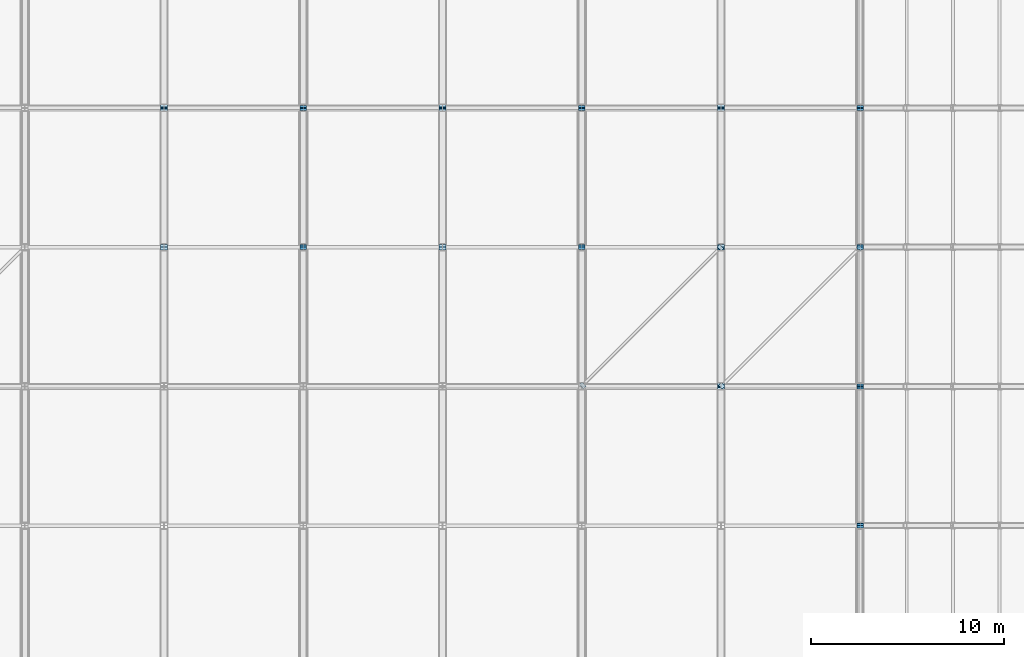
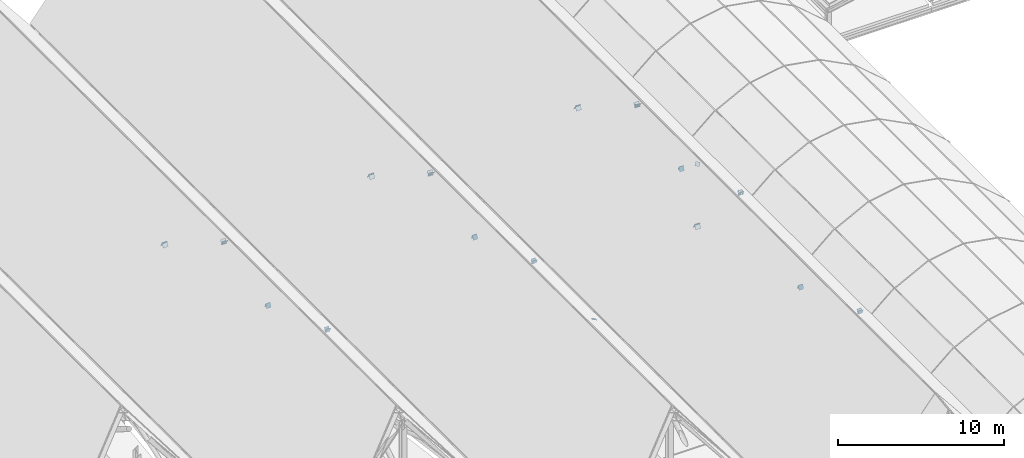
# One storey, part 50 of 60: 34 plates.
"""IFC4 building model written with IfcOpenShell, lengths in metres."""

from ifc_helpers import new_model, si_unit, direction, frame, origin, origin_2d, place, context, subcontext, project, spatial, rectangle, extrude, material, layer, layer_set, type_object, element, save


model = new_model("IFC4")

# Units and contexts
model_context = context("Model", 3, precision=1e-05, world=origin(), true_north=direction((0.0, 1.0)))
body_context = subcontext(model_context, "Body", "Model", "MODEL_VIEW")
ifc_project = project(units=[si_unit("LENGTHUNIT", "METRE"), si_unit("AREAUNIT", "SQUARE_METRE"), si_unit("VOLUMEUNIT", "CUBIC_METRE"), si_unit("PLANEANGLEUNIT", "RADIAN"), si_unit("MASSUNIT", "GRAM", prefix="KILO")], contexts=[model_context])

# Site, building, storey
site_placement = place(None, origin())
site = spatial("IfcSite", under=ifc_project, at=site_placement, CompositionType="ELEMENT")
building_placement = place(site_placement, origin())
building = spatial("IfcBuilding", under=site, at=building_placement, Name="Vesperath Aquatics Centre", CompositionType="ELEMENT")
storey_placement = place(building_placement, frame((0.0, 0.0, 27.60009765625)))
storey = spatial("IfcBuildingStorey", under=building, at=storey_placement, Name="RF", CompositionType="ELEMENT", Elevation=27.60009765625)

# Plates
ifc_material = material(Name="Steel Q355D", Category="steel")
ifc_layer_1 = layer(ifc_material, 0.02001953125)
ifc_layer_set_1 = layer_set([ifc_layer_1], Name="Steel Q355D")
plate_type_1 = type_object("IfcPlateType", Name="PT-TN01", PredefinedType="SHEET", material=ifc_layer_set_1)
for number, where, z_axis, x_axis, name in (
    (1, (64.800048828125, 50.33251953125, -0.84326171875), (0.0, 0.842696259913, 0.538389276944), (-1.0, 0.0, 0.0), "Truss Node Cap Plate TN01"),
    (2, (64.800048828125, 50.450439453125, -0.83251953125), (0.0, 0.842696259913, -0.538389276944), (-1.0, 0.0, 0.0), "Truss Node Cap Plate TN01"),
    (3, (64.800048828125, 57.532470703125, -5.35693359375), (0.0, 0.842696259913, -0.538389276944), (-1.0, 0.0, 0.0), "Truss Node Cap Plate TN01"),
    (4, (64.800048828125, 57.650390625, -5.36767578125), (0.0, 0.842696259913, 0.538389276944), (-1.0, 0.0, 0.0), "Truss Node Cap Plate TN01"),
    (5, (79.199951171875, 50.33251953125, -0.84326171875), (0.0, 0.842696259913, 0.538389276944), (-1.0, 0.0, 0.0), "Truss Node Cap Plate TN01"),
    (6, (79.199951171875, 50.450439453125, -0.83251953125), (0.0, 0.842696259913, -0.538389276944), (-1.0, 0.0, 0.0), "Truss Node Cap Plate TN01"),
    (7, (79.199951171875, 57.532470703125, -5.35693359375), (0.0, 0.842696259913, -0.538389276944), (-1.0, 0.0, 0.0), "Truss Node Cap Plate TN01"),
    (8, (79.199951171875, 57.650390625, -5.36767578125), (0.0, 0.842696259913, 0.538389276944), (-1.0, 0.0, 0.0), "Truss Node Cap Plate TN01"),
    (9, (93.60009765625, 43.132568359375, -5.35693359375), (0.0, 0.842696259913, -0.538389276944), (-1.0, 0.0, 0.0), "Truss Node Cap Plate TN01"),
    (10, (93.60009765625, 43.25048828125, -5.36767578125), (0.0, 0.842696259913, 0.538389276944), (-1.0, 0.0, 0.0), "Truss Node Cap Plate TN01"),
    (11, (93.60009765625, 50.33251953125, -0.84326171875), (0.0, 0.842696259913, 0.538389276944), (-1.0, 0.0, 0.0), "Truss Node Cap Plate TN01"),
    (12, (93.60009765625, 50.450439453125, -0.83251953125), (0.0, 0.842696259913, -0.538389276944), (-1.0, 0.0, 0.0), "Truss Node Cap Plate TN01"),
    (13, (93.60009765625, 57.532470703125, -5.35693359375), (0.0, 0.842696259913, -0.538389276944), (-1.0, 0.0, 0.0), "Truss Node Cap Plate TN01"),
    (14, (93.60009765625, 57.650390625, -5.36767578125), (0.0, 0.842696259913, 0.538389276944), (-1.0, 0.0, 0.0), "Truss Node Cap Plate TN01"),
):
    element("IfcPlate", number, at=place(storey_placement, frame(where, z_axis=z_axis, x_axis=x_axis)), inside=storey, type_object=plate_type_1, Name=name, PredefinedType="SHEET", context=body_context, shape_type="SweptSolid", body=[
        extrude(rectangle(XDim=0.360107421875, YDim=0.360107421875, at=origin_2d()), origin(), (0.0, 0.0, 1.0), 0.02001953125),
    ])
ifc_layer_2 = layer(ifc_material, 0.02001953125)
ifc_layer_set_2 = layer_set([ifc_layer_2], Name="Steel Q355D")
plate_type_2 = type_object("IfcPlateType", Name="PT-TN02", PredefinedType="SHEET", material=ifc_layer_set_2)
for number, where, z_axis, x_axis, name in (
    (15, (72.0, 50.32470703125, -9.827392578125), (0.0, 0.940553899656, 0.339644463876), (-1.0, 0.0, 0.0), "Truss Node Cap Plate TN02"),
    (16, (72.0, 50.456298828125, -9.820556640625), (0.0, 0.940553899656, -0.339644463876), (-1.0, 0.0, 0.0), "Truss Node Cap Plate TN02"),
    (17, (72.0, 57.524658203125, -12.372802734375), (0.0, 0.940553899656, -0.339644463876), (-1.0, 0.0, 0.0), "Truss Node Cap Plate TN02"),
    (18, (72.0, 57.65625, -12.379638671875), (0.0, 0.940553899656, 0.339644463876), (-1.0, 0.0, 0.0), "Truss Node Cap Plate TN02"),
    (19, (86.39990234375, 50.32470703125, -9.827392578125), (0.0, 0.940553899656, 0.339644463876), (-1.0, 0.0, 0.0), "Truss Node Cap Plate TN02"),
    (20, (86.39990234375, 50.456298828125, -9.820556640625), (0.0, 0.940553899656, -0.339644463876), (-1.0, 0.0, 0.0), "Truss Node Cap Plate TN02"),
    (21, (86.39990234375, 57.524658203125, -12.372802734375), (0.0, 0.940553899656, -0.339644463876), (-1.0, 0.0, 0.0), "Truss Node Cap Plate TN02"),
    (22, (86.39990234375, 57.65625, -12.379638671875), (0.0, 0.940553899656, 0.339644463876), (-1.0, 0.0, 0.0), "Truss Node Cap Plate TN02"),
    (23, (100.800048828125, 35.924560546875, -9.827392578125), (0.0, 0.940553899656, 0.339644463876), (-1.0, 0.0, 0.0), "Truss Node Cap Plate TN02"),
    (24, (100.800048828125, 36.056396484375, -9.820556640625), (0.0, 0.940553899656, -0.339644463876), (-1.0, 0.0, 0.0), "Truss Node Cap Plate TN02"),
    (25, (100.800048828125, 43.124755859375, -12.372802734375), (0.0, 0.940553899656, -0.339644463876), (-1.0, 0.0, 0.0), "Truss Node Cap Plate TN02"),
    (26, (100.800048828125, 43.25634765625, -12.379638671875), (0.0, 0.940553899656, 0.339644463876), (-1.0, 0.0, 0.0), "Truss Node Cap Plate TN02"),
    (27, (100.800048828125, 50.32470703125, -9.827392578125), (0.0, 0.940553899656, 0.339644463876), (-1.0, 0.0, 0.0), "Truss Node Cap Plate TN02"),
    (28, (100.800048828125, 50.456298828125, -9.820556640625), (0.0, 0.940553899656, -0.339644463876), (-1.0, 0.0, 0.0), "Truss Node Cap Plate TN02"),
    (29, (100.800048828125, 57.524658203125, -12.372802734375), (0.0, 0.940553899656, -0.339644463876), (-1.0, 0.0, 0.0), "Truss Node Cap Plate TN02"),
    (30, (100.800048828125, 57.65625, -12.379638671875), (0.0, 0.940553899656, 0.339644463876), (-1.0, 0.0, 0.0), "Truss Node Cap Plate TN02"),
):
    element("IfcPlate", number, at=place(storey_placement, frame(where, z_axis=z_axis, x_axis=x_axis)), inside=storey, type_object=plate_type_2, Name=name, PredefinedType="SHEET", context=body_context, shape_type="SweptSolid", body=[
        extrude(rectangle(XDim=0.320068359375, YDim=0.320068359375, at=origin_2d()), origin(), (0.0, 0.0, 1.0), 0.02001953125),
    ])
ifc_layer_3 = layer(ifc_material, 0.01806640625)
ifc_layer_set_3 = layer_set([ifc_layer_3], Name="Steel Q355D")
plate_type_3 = type_object("IfcPlateType", Name="PT-TN03", PredefinedType="SHEET", material=ifc_layer_set_3)
for number, where, z_axis, x_axis, name in (
    (31, (86.4326171875, 43.232666015625, -9.75927734375), (0.529812942738, 0.529812942738, 0.662266178673), (-0.707106781187, 0.707106781187, 0.0), "Truss Node Cap Plate TN03"),
    (32, (93.5576171875, 50.357421875, -0.853271484375), (0.529812942738, 0.529812942738, 0.662266178673), (-0.707106781187, 0.707106781187, 0.0), "Truss Node Cap Plate TN03"),
    (33, (93.6328125, 43.232666015625, -0.841064453125), (0.529812942738, 0.529812942738, -0.662266178673), (-0.707106781187, 0.707106781187, 0.0), "Truss Node Cap Plate TN03"),
    (34, (100.757568359375, 50.357421875, -9.7470703125), (0.529812942738, 0.529812942738, -0.662266178673), (-0.707106781187, 0.707106781187, 0.0), "Truss Node Cap Plate TN03"),
):
    element("IfcPlate", number, at=place(storey_placement, frame(where, z_axis=z_axis, x_axis=x_axis)), inside=storey, type_object=plate_type_3, Name=name, PredefinedType="SHEET", context=body_context, shape_type="SweptSolid", body=[
        extrude(rectangle(XDim=0.280029296875, YDim=0.280029296875, at=origin_2d()), origin(), (0.0, 0.0, 1.0), 0.01806640625),
    ])

save(model, "model.ifc")
